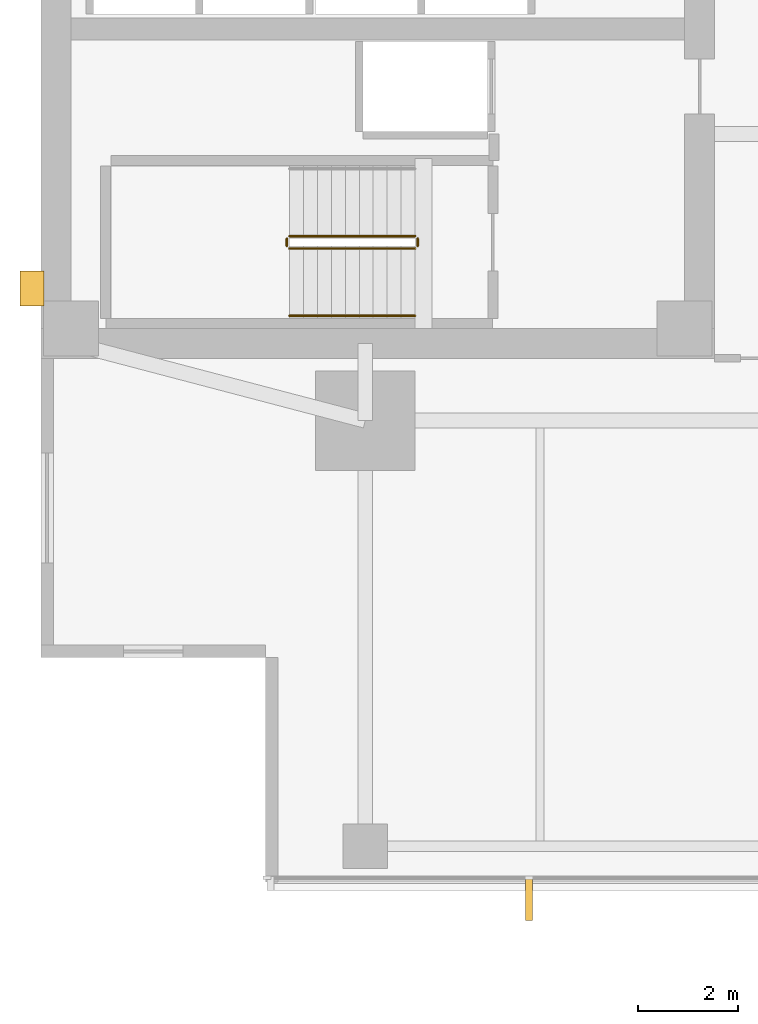
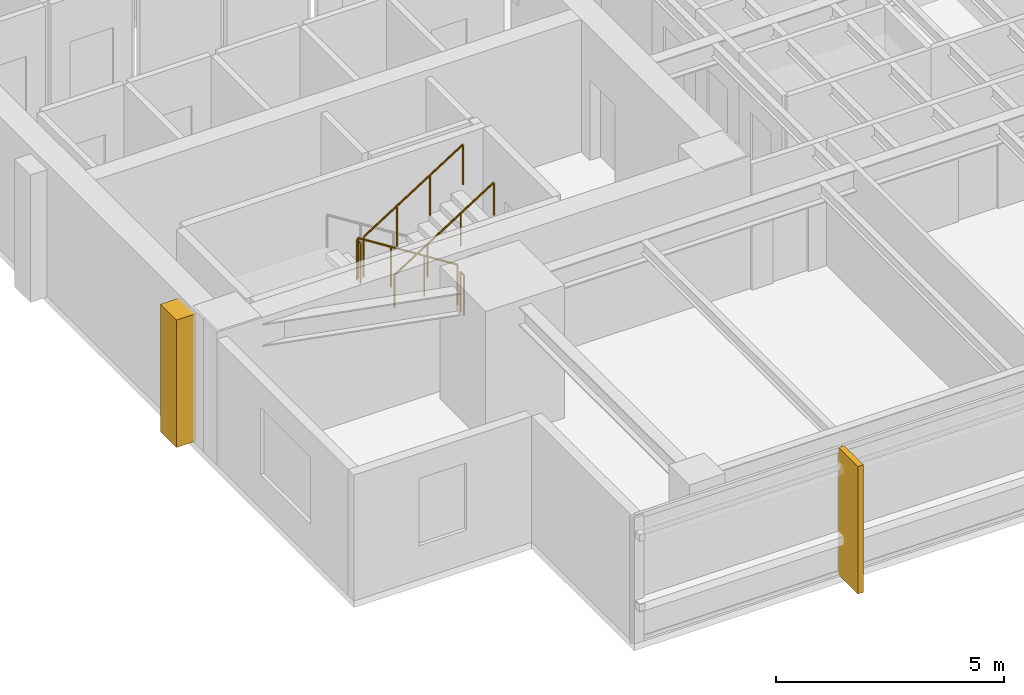
# One storey, part 11 of 14: 5 railings, 2 coverings.
"""IFC4 building model written with IfcOpenShell, lengths in metres."""

import ifcopenshell
import ifcopenshell.guid

model = None  # the IFC model being written
_history = None  # IfcOwnerHistory: only IFC2X3 demands one
_inside = {}  # id of a spatial element -> (the spatial element, [elements in it])
_under = {}  # id of a project, library or spatial element -> (it, [spatial elements below it])
_declared = {}  # id of a project -> (the project, [libraries it declares])
_typed = {}  # id of a type object -> (the type object, [elements of that type])
_made_of = {}  # id of a material, layer set ... -> (it, [elements and type objects made of it])


def new_model(schema):
    """Start an empty IFC model of exactly this schema.

    Asked for "IFC4X3", IfcOpenShell would pick the latest addendum, in which some entities
    have other attributes; the version numbers below select the first issue.
    IFC2X3 requires an IfcOwnerHistory on every rooted entity: one is made here for all.
    """
    global model, _history
    if schema == "IFC4X3":
        model = ifcopenshell.file(schema_version=(4, 3, 0, 0))
    else:
        model = ifcopenshell.file(schema=schema)
    _inside.clear()
    _under.clear()
    _declared.clear()
    _typed.clear()
    _made_of.clear()
    _history = None
    if model.schema == "IFC2X3":
        org = make("IfcOrganization", Name="unknown")
        user = make(
            "IfcPersonAndOrganization",
            ThePerson=make("IfcPerson", FamilyName="unknown"),
            TheOrganization=org,
        )
        app = make(
            "IfcApplication",
            ApplicationDeveloper=org,
            Version="unknown",
            ApplicationFullName="unknown",
            ApplicationIdentifier="unknown",
        )
        _history = make(
            "IfcOwnerHistory",
            OwningUser=user,
            OwningApplication=app,
            ChangeAction="ADDED",
            CreationDate=0,
        )
    return model


def make(cls, **values):
    """One entity of the class cls with the attributes given. An attribute that is None is left unset."""
    return model.create_entity(
        cls, **{name: value for name, value in values.items() if value is not None}
    )


def rooted(cls, **values):
    """An entity with a GlobalId (a new one), such as an element, a storey or a relation."""
    return make(cls, GlobalId=ifcopenshell.guid.new(), OwnerHistory=_history, **values)


def si_unit(unit_type, name, prefix=None):
    """IfcSIUnit, for example si_unit("LENGTHUNIT", "METRE", prefix="MILLI")."""
    return make("IfcSIUnit", UnitType=unit_type, Prefix=prefix, Name=name)


def assignment(units):
    """IfcUnitAssignment: the units of a project."""
    return None if units is None else make("IfcUnitAssignment", Units=units)


def point(xyz):
    """IfcCartesianPoint."""
    return None if xyz is None else make("IfcCartesianPoint", Coordinates=xyz)


def direction(xyz):
    """IfcDirection."""
    return None if xyz is None else make("IfcDirection", DirectionRatios=xyz)


def frame(location, z_axis=None, x_axis=None):
    """IfcAxis2Placement3D, a coordinate frame: its origin and axes. An axis left out is left unset."""
    return make(
        "IfcAxis2Placement3D",
        Location=point(location),
        Axis=direction(z_axis),
        RefDirection=direction(x_axis),
    )


def frame_2d(location, x_axis=None):
    """IfcAxis2Placement2D, a coordinate frame in the plane: its origin and x axis."""
    return make(
        "IfcAxis2Placement2D", Location=point(location), RefDirection=direction(x_axis)
    )


def origin():
    """The frame at (0, 0, 0) with its axes left unset."""
    return frame((0.0, 0.0, 0.0))


def origin_2d():
    """The frame at (0, 0) in the plane with its x axis left unset."""
    return frame_2d((0.0, 0.0))


def place(relative_to, where):
    """IfcLocalPlacement: puts the frame where relative to a parent placement (None: the world)."""
    return make(
        "IfcLocalPlacement", PlacementRelTo=relative_to, RelativePlacement=where
    )


def context(
    kind, dimensions, precision=None, world=None, true_north=None, identifier=None
):
    """IfcGeometricRepresentationContext, for example the 3D "Model" context."""
    return make(
        "IfcGeometricRepresentationContext",
        ContextIdentifier=identifier,
        ContextType=kind,
        CoordinateSpaceDimension=dimensions,
        Precision=precision,
        WorldCoordinateSystem=world,
        TrueNorth=true_north,
    )


def subcontext(parent, identifier, kind, view, scale=None):
    """IfcGeometricRepresentationSubContext, for example "Body" below "Model"."""
    return make(
        "IfcGeometricRepresentationSubContext",
        ContextIdentifier=identifier,
        ContextType=kind,
        ParentContext=parent,
        TargetScale=scale,
        TargetView=view,
    )


def project(units=None, contexts=None):
    """IfcProject with its units and contexts."""
    return rooted(
        "IfcProject",
        Name="project",
        RepresentationContexts=contexts,
        UnitsInContext=assignment(units),
    )


def spatial(cls, under=None, at=None, **own):
    """A site, building, storey or space (cls), placed at a placement, below another one or the project."""
    s = rooted(cls, ObjectPlacement=at, **own)
    if under is not None:
        _under.setdefault(under.id(), (under, []))[1].append(s)
    return s


def polyline(points):
    """IfcPolyline through the points."""
    return make("IfcPolyline", Points=[point(p) for p in points])


def profile(cls, at=None, kind="AREA", **sizes):
    """A parametric profile (cls). Its sizes go by their IFC names, for example OverallWidth=200.0."""
    return make(cls, ProfileType=kind, Position=at, **sizes)


def circle(**sizes):
    """IfcCircleProfileDef."""
    return profile("IfcCircleProfileDef", **sizes)


def outline(outer, holes=None, kind="AREA"):
    """IfcArbitraryClosedProfileDef: a profile drawn as a closed curve; with holes, ...WithVoids."""
    if holes is None:
        return make("IfcArbitraryClosedProfileDef", ProfileType=kind, OuterCurve=outer)
    return make(
        "IfcArbitraryProfileDefWithVoids",
        ProfileType=kind,
        OuterCurve=outer,
        InnerCurves=holes,
    )


def extrude(swept, where, along, depth):
    """IfcExtrudedAreaSolid: the profile swept, set in the frame where, extruded along a direction by depth."""
    return make(
        "IfcExtrudedAreaSolid",
        SweptArea=swept,
        Position=where,
        ExtrudedDirection=direction(along),
        Depth=depth,
    )


def shape(context_of_items, identifier, shape_type, items):
    """IfcShapeRepresentation: the items that make up one representation, for example the "Body"."""
    return make(
        "IfcShapeRepresentation",
        ContextOfItems=context_of_items,
        RepresentationIdentifier=identifier,
        RepresentationType=shape_type,
        Items=items,
    )


def material(Name=None, Category=None):
    """IfcMaterial."""
    return make("IfcMaterial", Name=Name, Category=Category)


def layer(
    of_material, thickness, ventilated=None, Name=None, Category=None, Priority=None
):
    """IfcMaterialLayer: one layer of a wall or slab, of a material (None: an air gap)."""
    return make(
        "IfcMaterialLayer",
        Material=of_material,
        LayerThickness=thickness,
        IsVentilated=ventilated,
        Name=Name,
        Category=Category,
        Priority=Priority,
    )


def layer_set(layers, Name=None):
    """IfcMaterialLayerSet."""
    return make("IfcMaterialLayerSet", MaterialLayers=layers, LayerSetName=Name)


def made_of(thing, what):
    """Note that an element or type object is made of a material, layer set ...; save() writes the relation."""
    if what is not None:
        _made_of.setdefault(what.id(), (what, []))[1].append(thing)
    return thing


def type_object(cls, material=None, **own):
    """A type object (cls), such as IfcWallType, which elements share."""
    return made_of(rooted(cls, **own), material)


def element(
    cls,
    number,
    at=None,
    inside=None,
    cuts=None,
    type_object=None,
    material=None,
    context=None,
    identifier="Body",
    shape_type=None,
    held_by="IfcProductDefinitionShape",
    body=None,
    shapes=None,
    **own,
):
    """One element of the class cls, such as IfcWall. Its Tag is "e" and its number.

    at: its placement. inside: the storey or other place that contains it. cuts: it is an
    opening in that element (IfcRelVoidsElement). A single representation is given by context,
    identifier, shape_type and body (its items); several are given by shapes. held_by: the class
    of the entity that holds the representations. save() writes the other relations.
    """
    e = rooted(cls, Tag="e%d" % number, ObjectPlacement=at, **own)
    if body is not None:
        shapes = [shape(context, identifier, shape_type, body)]
    if shapes is not None:
        e.Representation = make(held_by, Representations=shapes)
    if inside is not None:
        _inside.setdefault(inside.id(), (inside, []))[1].append(e)
    if cuts is not None:
        rooted(
            "IfcRelVoidsElement", RelatingBuildingElement=cuts, RelatedOpeningElement=e
        )
    if type_object is not None:
        _typed.setdefault(type_object.id(), (type_object, []))[1].append(e)
    return made_of(e, material)


def aggregate(whole, parts):
    """IfcRelAggregates: a whole, such as a stair, and the parts it consists of."""
    return rooted("IfcRelAggregates", RelatingObject=whole, RelatedObjects=parts)


def save(model, path):
    """Write the relations noted so far, then the file.

    IfcRelAggregates (storeys below a building ...), IfcRelContainedInSpatialStructure (elements
    in a storey), IfcRelDefinesByType, IfcRelAssociatesMaterial and IfcRelDeclares: one each for
    every whole, place, type object, material and project.
    """
    for whole, parts in _under.values():
        aggregate(whole, parts)
    for where, things in _inside.values():
        rooted(
            "IfcRelContainedInSpatialStructure",
            RelatedElements=things,
            RelatingStructure=where,
        )
    for kind, things in _typed.values():
        rooted("IfcRelDefinesByType", RelatedObjects=things, RelatingType=kind)
    for what, things in _made_of.values():
        rooted("IfcRelAssociatesMaterial", RelatedObjects=things, RelatingMaterial=what)
    for by, libraries in _declared.values():
        rooted("IfcRelDeclares", RelatingContext=by, RelatedDefinitions=libraries)
    model.write(path)


model = new_model("IFC4")

# Units and contexts
model_context = context("Model", 3, precision=1e-05, world=origin(), true_north=direction((0.0, 1.0)))
body_context = subcontext(model_context, "Body", "Model", "MODEL_VIEW")
ifc_project = project(units=[si_unit("LENGTHUNIT", "METRE"), si_unit("AREAUNIT", "SQUARE_METRE"), si_unit("VOLUMEUNIT", "CUBIC_METRE"), si_unit("PLANEANGLEUNIT", "RADIAN"), si_unit("MASSUNIT", "GRAM", prefix="KILO")], contexts=[model_context])

# Site, building, storey
site_placement = place(None, origin())
site = spatial("IfcSite", under=ifc_project, at=site_placement, CompositionType="ELEMENT")
building_placement = place(site_placement, origin())
building = spatial("IfcBuilding", under=site, at=building_placement, Name="Kinhvarn Gate Tower", CompositionType="ELEMENT")
storey_placement = place(building_placement, frame((0.0, 0.0, 151.949951171875)))
storey = spatial("IfcBuildingStorey", under=building, at=storey_placement, Name="L40", CompositionType="ELEMENT", Elevation=151.949951171875)

# Coverings
ifc_material_1 = material(Name="Fired architectural terracotta", Category="masonry")
ifc_layer_1 = layer(ifc_material_1, 0.139892578125)
ifc_layer_set_1 = layer_set([ifc_layer_1], Name="Fired architectural terracotta")
covering_type_1 = type_object("IfcCoveringType", Name="COV-FIN-850", PredefinedType="CLADDING", material=ifc_layer_set_1)
covering_1_placement = place(storey_placement, frame((0.0, 0.0, -0.02001953125)))
element("IfcCovering", 1, at=covering_1_placement, inside=storey, type_object=covering_type_1, Name="Vertical Terracotta Expressive Fin TFN-850 (L40)", PredefinedType="CLADDING", context=body_context, shape_type="SweptSolid", body=[
    extrude(outline(polyline([(14.2158203125, 3.580078125), (14.355712890625, 3.580078125), (14.355712890625, 2.72998046875), (14.2158203125, 2.72998046875), (14.2158203125, 3.580078125)])), origin(), (0.0, 0.0, 1.0), 3.41015625),
])
ifc_material_2 = material(Name="Precast white architectural concrete C40/50", Category="concrete")
ifc_layer_2 = layer(ifc_material_2, 0.47998046875)
ifc_layer_set_2 = layer_set([ifc_layer_2], Name="Precast white architectural concrete C40/50")
covering_type_2 = type_object("IfcCoveringType", Name="COV-RIB-450", PredefinedType="CLADDING", material=ifc_layer_set_2)
covering_2_placement = place(storey_placement, frame((0.0, 0.0, -0.02001953125)))
element("IfcCovering", 2, at=covering_2_placement, inside=storey, type_object=covering_type_2, Name="West Core Sculptural Concrete Relief Rib CRB-450 (L40)", PredefinedType="CLADDING", context=body_context, shape_type="SweptSolid", body=[
    extrude(outline(polyline([(4.080078125, 15.050048828125), (4.56005859375, 15.050048828125), (4.56005859375, 15.75), (4.080078125, 15.75), (4.080078125, 15.050048828125)])), origin(), (0.0, 0.0, 1.0), 3.41015625),
])

# Railings
ifc_material_3 = material(Name="Steel S355", Category="steel")
railing_type_1 = type_object("IfcRailingType", Name="RL-ST-GRD", PredefinedType="BALUSTRADE", material=ifc_material_3)
railing_1_placement = place(storey_placement, frame((12.0, 16.449951171875, 0.177490234375)))
element("IfcRailing", 3, at=railing_1_placement, inside=storey, type_object=railing_type_1, Name="L40 ST1 stair guard 1", PredefinedType="BALUSTRADE", context=body_context, shape_type="SweptSolid", body=[
    extrude(circle(Radius=0.02392578125, at=origin_2d()), frame((0.0, 0.0, 1.076171875), z_axis=(-0.84456994832, 0.0, 0.535445237532), x_axis=(0.0, -1.0, 0.0)), (0.0, 0.0, 1.0), 2.98388671875),
    extrude(circle(Radius=0.02099609375, at=origin_2d()), origin(), (0.0, 0.0, 1.0), 1.052001953125),
    extrude(circle(Radius=0.02099609375, at=origin_2d()), frame((-0.840087890625, 0.0, 0.532470703125)), (0.0, 0.0, 1.0), 1.052001953125),
    extrude(circle(Radius=0.02099609375, at=origin_2d()), frame((-1.679931640625, 0.0, 1.065185546875)), (0.0, 0.0, 1.0), 1.052001953125),
    extrude(circle(Radius=0.02099609375, at=origin_2d()), frame((-2.52001953125, 0.0, 1.59765625)), (0.0, 0.0, 1.0), 1.052001953125),
])
railing_2_placement = place(storey_placement, frame((9.429931640625, 16.39990234375, 1.775146484375)))
element("IfcRailing", 4, at=railing_2_placement, inside=storey, type_object=railing_type_1, Name="L40 ST1 stair guard 2", PredefinedType="BALUSTRADE", context=body_context, shape_type="SweptSolid", body=[
    extrude(circle(Radius=0.02392578125, at=origin_2d()), frame((0.0, 0.0, 1.076171875), z_axis=(0.0, -1.0, 0.0), x_axis=(1.0, 0.0, 0.0)), (0.0, 0.0, 1.0), 0.14990234375),
    extrude(circle(Radius=0.02099609375, at=origin_2d()), origin(), (0.0, 0.0, 1.0), 1.052001953125),
    extrude(circle(Radius=0.02099609375, at=origin_2d()), frame((0.0, -0.14990234375, 0.0)), (0.0, 0.0, 1.0), 1.052001953125),
])
railing_3_placement = place(storey_placement, frame((9.47998046875, 16.199951171875, 1.95263671875)))
element("IfcRailing", 5, at=railing_3_placement, inside=storey, type_object=railing_type_1, Name="L40 ST1 stair guard 3", PredefinedType="BALUSTRADE", context=body_context, shape_type="SweptSolid", body=[
    extrude(circle(Radius=0.02392578125, at=origin_2d()), frame((0.0, 0.0, 1.076171875), z_axis=(0.84460694969, 0.0, 0.535386869969), x_axis=(0.0, 1.0, 0.0)), (0.0, 0.0, 1.0), 2.983642578125),
    extrude(circle(Radius=0.02099609375, at=origin_2d()), origin(), (0.0, 0.0, 1.0), 1.052001953125),
    extrude(circle(Radius=0.02099609375, at=origin_2d()), frame((0.840087890625, 0.0, 0.532470703125)), (0.0, 0.0, 1.0), 1.052001953125),
    extrude(circle(Radius=0.02099609375, at=origin_2d()), frame((1.679931640625, 0.0, 1.06494140625)), (0.0, 0.0, 1.0), 1.052001953125),
    extrude(circle(Radius=0.02099609375, at=origin_2d()), frame((2.52001953125, 0.0, 1.597412109375)), (0.0, 0.0, 1.0), 1.052001953125),
])
railing_4_placement = place(storey_placement, frame((12.050048828125, 16.39990234375, 0.0)))
element("IfcRailing", 6, at=railing_4_placement, inside=storey, type_object=railing_type_1, Name="L40 ST1 stair guard 4", PredefinedType="BALUSTRADE", context=body_context, shape_type="SweptSolid", body=[
    extrude(circle(Radius=0.02392578125, at=origin_2d()), frame((0.0, 0.0, 1.076171875), z_axis=(0.0, -1.0, 0.0), x_axis=(1.0, 0.0, 0.0)), (0.0, 0.0, 1.0), 0.14990234375),
    extrude(circle(Radius=0.02099609375, at=origin_2d()), origin(), (0.0, 0.0, 1.0), 1.052001953125),
    extrude(circle(Radius=0.02099609375, at=origin_2d()), frame((0.0, -0.14990234375, 0.0)), (0.0, 0.0, 1.0), 1.052001953125),
])
railing_type_2 = type_object("IfcRailingType", Name="RL-ST-HND", PredefinedType="HANDRAIL", material=ifc_material_3)
railing_5_placement = place(storey_placement, frame((9.47998046875, 14.85009765625, 1.95263671875)))
element("IfcRailing", 7, at=railing_5_placement, inside=storey, type_object=railing_type_2, Name="L40 ST1 stair handrail 2", PredefinedType="HANDRAIL", context=body_context, shape_type="SweptSolid", body=[
    extrude(circle(Radius=0.02392578125, at=origin_2d()), frame((0.0, 0.0, 0.8759765625), z_axis=(0.84460694969, 0.0, 0.535386869969), x_axis=(0.0, 1.0, 0.0)), (0.0, 0.0, 1.0), 2.983642578125),
    extrude(circle(Radius=0.02099609375, at=origin_2d()), origin(), (0.0, 0.0, 1.0), 0.851806640625),
    extrude(circle(Radius=0.02099609375, at=origin_2d()), frame((0.840087890625, 0.0, 0.532470703125)), (0.0, 0.0, 1.0), 0.851806640625),
    extrude(circle(Radius=0.02099609375, at=origin_2d()), frame((1.679931640625, 0.0, 1.06494140625)), (0.0, 0.0, 1.0), 0.851806640625),
    extrude(circle(Radius=0.02099609375, at=origin_2d()), frame((2.52001953125, 0.0, 1.597412109375)), (0.0, 0.0, 1.0), 0.851806640625),
])

save(model, "model.ifc")
